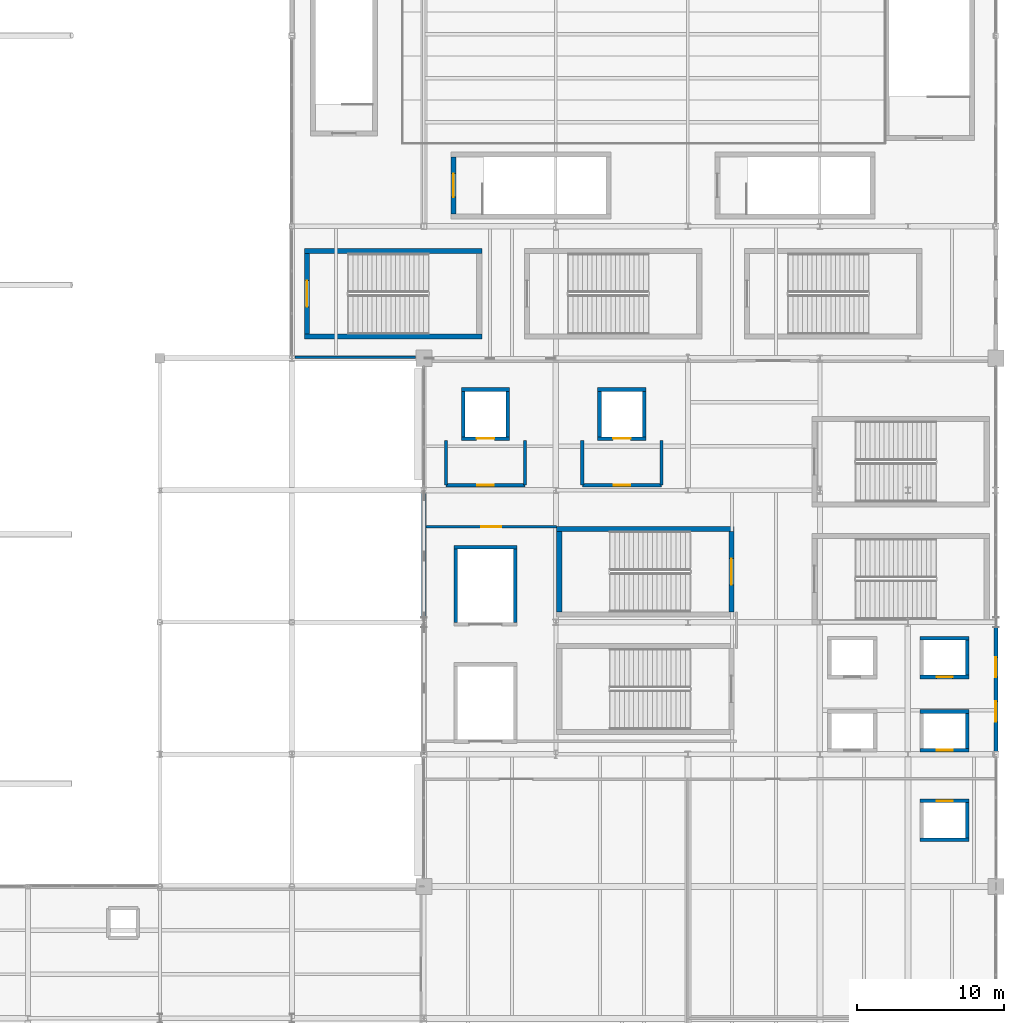
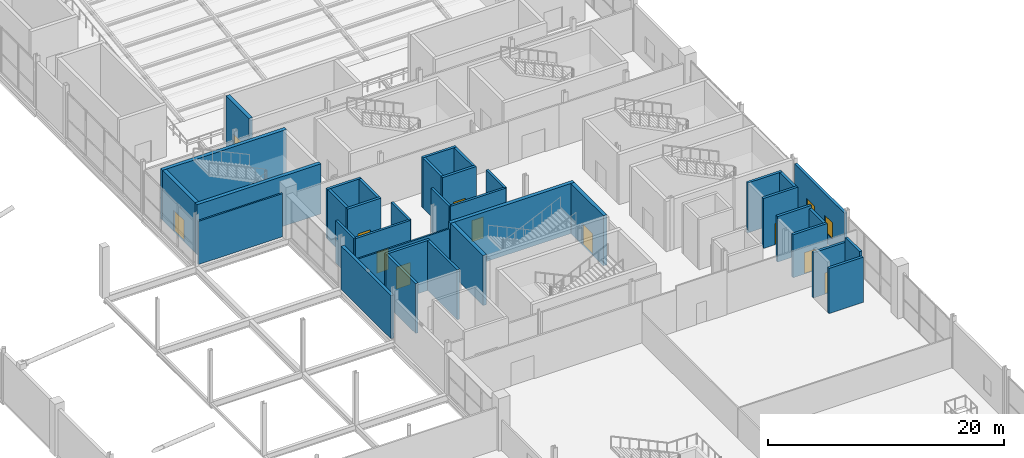
# One storey, part 94 of 119: 37 walls, 11 doors, 2 windows, 13 openings.
"""IFC4 building model written with IfcOpenShell, lengths in metres."""

from ifc_helpers import new_model, si_unit, direction, frame, frame_2d, origin, place, context, subcontext, project, spatial, rectangle, extrude, material, layer, layer_set, type_object, element, fill, save


model = new_model("IFC4")

# Units and contexts
model_context = context("Model", 3, precision=1e-05, world=origin(), true_north=direction((0.0, 1.0)))
body_context = subcontext(model_context, "Body", "Model", "MODEL_VIEW")
ifc_project = project(units=[si_unit("LENGTHUNIT", "METRE"), si_unit("AREAUNIT", "SQUARE_METRE"), si_unit("VOLUMEUNIT", "CUBIC_METRE"), si_unit("PLANEANGLEUNIT", "RADIAN"), si_unit("MASSUNIT", "GRAM", prefix="KILO")], contexts=[model_context])

# Site, building, storey
site_placement = place(None, origin())
site = spatial("IfcSite", under=ifc_project, at=site_placement, CompositionType="ELEMENT")
building_placement = place(site_placement, origin())
building = spatial("IfcBuilding", under=site, at=building_placement, Name="Qamarlyn Nura Convention Centre", CompositionType="ELEMENT")
storey_placement = place(building_placement, frame((0.0, 0.0, 5.39990234375)))
storey = spatial("IfcBuildingStorey", under=building, at=storey_placement, Name="L01", CompositionType="ELEMENT", Elevation=5.39990234375)

# Wall, opening, door
ifc_material_1 = material(Name="Fire-rated acoustic gypsum board and mineral wool EI 120")
ifc_layer_1 = layer(ifc_material_1, 0.219970703125, Name="WT-COMP-220")
ifc_layer_set_1 = layer_set([ifc_layer_1], Name="Fire-rated acoustic gypsum board and mineral wool EI 120")
wall_type_1 = type_object("IfcWallType", Name="WT-COMP-220", PredefinedType="SOLIDWALL", material=ifc_layer_set_1)
wall_1_placement = place(storey_placement, frame((154.5, 72.35009765625, 0.0), z_axis=(0.0, 0.0, 1.0), x_axis=(1.0, 0.0, 0.0)))
wall_1 = element("IfcWall", 1, at=wall_1_placement, inside=storey, type_object=wall_type_1, Name="L01 firefighting lobby barrier wall FFL-03-OPP", PredefinedType="SOLIDWALL", context=body_context, shape_type="SweptSolid", body=[
    extrude(rectangle(XDim=5.39990234375, YDim=0.219970703125, at=frame_2d((2.699951171875, 0.0))), origin(), (0.0, 0.0, 1.0), 4.39208984375),
])
opening_1_placement = place(wall_1_placement, frame((2.139892578125, 0.0, 0.0)))
opening_1 = element("IfcOpeningElement", 2, at=opening_1_placement, cuts=wall_1, Name="Opening DF-119", PredefinedType="OPENING", context=body_context, shape_type="SweptSolid", body=[
    extrude(rectangle(XDim=1.1201171875, YDim=2.199951171875, at=frame_2d((0.56005859375, 1.10009765625))), frame((0.0, 0.1201171875, 0.0), z_axis=(0.0, -1.0, 0.0), x_axis=(1.0, 0.0, 0.0)), (0.0, 0.0, 1.0), 0.239990234375),
])
ifc_material_2 = material(Name="Galvanised fire-rated hollow steel door", Category="steel")
door_type_1 = type_object("IfcDoorType", Name="DR-FFL-1120", OperationType="NOTDEFINED", PredefinedType="DOOR", material=ifc_material_2)
door_1_placement = place(opening_1_placement, origin())
door_1 = element("IfcDoor", 3, at=door_1_placement, inside=storey, type_object=door_type_1, Name="L01 firefighting lobby door FFL-03 (DF-119)", OperationType="SINGLE_SWING_LEFT", OverallHeight=2.199951171875, OverallWidth=1.1201171875, PredefinedType="DOOR", context=body_context, shape_type="SweptSolid", body=[
    extrude(rectangle(XDim=1.1201171875, YDim=2.199951171875, at=frame_2d((0.56005859375, 1.10009765625))), frame((0.0, 0.02490234375, 0.0), z_axis=(0.0, -1.0, 0.0), x_axis=(1.0, 0.0, 0.0)), (0.0, 0.0, 1.0), 0.050048828125),
])
fill(opening_1, door_1)

# Walls
for number, where, z_axis, x_axis, name in (
    (4, (154.5, 72.35009765625, 0.0), (0.0, 0.0, 1.0), (0.0, 1.0, 0.0), "L01 firefighting lobby barrier wall FFL-03-W"),
    (5, (159.89990234375, 72.35009765625, 0.0), (0.0, 0.0, 1.0), (0.0, 1.0, 0.0), "L01 firefighting lobby barrier wall FFL-03-E"),
):
    element("IfcWall", number, at=place(storey_placement, frame(where, z_axis=z_axis, x_axis=x_axis)), inside=storey, type_object=wall_type_1, Name=name, PredefinedType="SOLIDWALL", context=body_context, shape_type="SweptSolid", body=[
        extrude(rectangle(XDim=3.0498046875, YDim=0.219970703125, at=frame_2d((1.52490234375, 0.0))), origin(), (0.0, 0.0, 1.0), 4.39208984375),
    ])

# Wall, opening, door
wall_2_placement = place(storey_placement, frame((163.800048828125, 72.35009765625, 0.0), z_axis=(0.0, 0.0, 1.0), x_axis=(1.0, 0.0, 0.0)))
wall_2 = element("IfcWall", 6, at=wall_2_placement, inside=storey, type_object=wall_type_1, Name="L01 firefighting lobby barrier wall FFL-04-OPP", PredefinedType="SOLIDWALL", context=body_context, shape_type="SweptSolid", body=[
    extrude(rectangle(XDim=5.39990234375, YDim=0.219970703125, at=frame_2d((2.699951171875, 0.0))), origin(), (0.0, 0.0, 1.0), 4.47021484375),
])
opening_2_placement = place(wall_2_placement, frame((2.139892578125, 0.0, 0.0)))
opening_2 = element("IfcOpeningElement", 7, at=opening_2_placement, cuts=wall_2, Name="Opening DF-126", PredefinedType="OPENING", context=body_context, shape_type="SweptSolid", body=[
    extrude(rectangle(XDim=1.1201171875, YDim=2.199951171875, at=frame_2d((0.56005859375, 1.10009765625))), frame((0.0, 0.1201171875, 0.0), z_axis=(0.0, -1.0, 0.0), x_axis=(1.0, 0.0, 0.0)), (0.0, 0.0, 1.0), 0.239990234375),
])
door_2_placement = place(opening_2_placement, origin())
door_2 = element("IfcDoor", 8, at=door_2_placement, inside=storey, type_object=door_type_1, Name="L01 firefighting lobby door FFL-04 (DF-126)", OperationType="SINGLE_SWING_RIGHT", OverallHeight=2.199951171875, OverallWidth=1.1201171875, PredefinedType="DOOR", context=body_context, shape_type="SweptSolid", body=[
    extrude(rectangle(XDim=1.1201171875, YDim=2.199951171875, at=frame_2d((0.56005859375, 1.10009765625))), frame((0.0, 0.02490234375, 0.0), z_axis=(0.0, -1.0, 0.0), x_axis=(1.0, 0.0, 0.0)), (0.0, 0.0, 1.0), 0.050048828125),
])
fill(opening_2, door_2)

# Walls
for number, where, z_axis, x_axis, name in (
    (9, (163.800048828125, 72.35009765625, 0.0), (0.0, 0.0, 1.0), (0.0, 1.0, 0.0), "L01 firefighting lobby barrier wall FFL-04-W"),
    (10, (169.199951171875, 72.35009765625, 0.0), (0.0, 0.0, 1.0), (0.0, 1.0, 0.0), "L01 firefighting lobby barrier wall FFL-04-E"),
):
    element("IfcWall", number, at=place(storey_placement, frame(where, z_axis=z_axis, x_axis=x_axis)), inside=storey, type_object=wall_type_1, Name=name, PredefinedType="SOLIDWALL", context=body_context, shape_type="SweptSolid", body=[
        extrude(rectangle(XDim=3.0498046875, YDim=0.219970703125, at=frame_2d((1.52490234375, 0.0))), origin(), (0.0, 0.0, 1.0), 4.47021484375),
    ])
ifc_material_3 = material(Name="Concrete C50/60", Category="concrete")
ifc_layer_2 = layer(ifc_material_3, 0.35009765625, Name="WT-CORE-350")
ifc_layer_set_2 = layer_set([ifc_layer_2], Name="Concrete C50/60")
wall_type_2 = type_object("IfcWallType", Name="WT-CORE-350", PredefinedType="SHEAR", material=ifc_layer_set_2)
wall_3_placement = place(storey_placement, frame((174.14990234375, 69.375, 0.0), z_axis=(0.0, 0.0, 1.0), x_axis=(-1.0, 0.0, 0.0)))
element("IfcWall", 11, at=wall_3_placement, inside=storey, type_object=wall_type_2, Name="L01 stair core shear wall ST-12-N", PredefinedType="SHEAR", context=body_context, shape_type="SweptSolid", body=[
    extrude(rectangle(XDim=12.099853515625, YDim=0.35009765625, at=frame_2d((6.0498046875, 0.0))), origin(), (0.0, 0.0, 1.0), 5.18017578125),
])
wall_4_placement = place(storey_placement, frame((162.22509765625, 69.199951171875, 0.0), z_axis=(0.0, 0.0, 1.0), x_axis=(0.0, -1.0, 0.0)))
element("IfcWall", 12, at=wall_4_placement, inside=storey, type_object=wall_type_2, Name="L01 stair core shear wall ST-12-W", PredefinedType="SHEAR", context=body_context, shape_type="SweptSolid", body=[
    extrude(rectangle(XDim=5.5, YDim=0.35009765625, at=frame_2d((2.75, 0.0))), origin(), (0.0, 0.0, 1.0), 5.18017578125),
])

# Wall, opening, door
wall_5_placement = place(storey_placement, frame((173.97509765625, 63.699951171875, 0.0), z_axis=(0.0, 0.0, 1.0), x_axis=(0.0, 1.0, 0.0)))
wall_5 = element("IfcWall", 13, at=wall_5_placement, inside=storey, type_object=wall_type_2, Name="L01 stair core shear wall ST-12-E", PredefinedType="SHEAR", context=body_context, shape_type="SweptSolid", body=[
    extrude(rectangle(XDim=5.5, YDim=0.35009765625, at=frame_2d((2.75, 0.0))), origin(), (0.0, 0.0, 1.0), 5.18017578125),
])
opening_3_placement = place(wall_5_placement, frame((1.85009765625, 0.0, 0.0)))
opening_3 = element("IfcOpeningElement", 14, at=opening_3_placement, cuts=wall_5, Name="Opening DS-052", PredefinedType="OPENING", context=body_context, shape_type="SweptSolid", body=[
    extrude(rectangle(XDim=1.800048828125, YDim=2.199951171875, at=frame_2d((0.89990234375, 1.10009765625))), frame((0.0, 0.18505859375, 0.0), z_axis=(0.0, -1.0, 0.0), x_axis=(1.0, 0.0, 0.0)), (0.0, 0.0, 1.0), 0.3701171875),
])
door_type_2 = type_object("IfcDoorType", Name="DR-STAIR-1800", OperationType="DOUBLE_DOOR_SINGLE_SWING", PredefinedType="DOOR", material=ifc_material_2)
door_3_placement = place(opening_3_placement, origin())
door_3 = element("IfcDoor", 15, at=door_3_placement, inside=storey, type_object=door_type_2, Name="L01 exit stair door ST-12 (DS-052)", OperationType="DOUBLE_DOOR_SINGLE_SWING", OverallHeight=2.199951171875, OverallWidth=1.800048828125, PredefinedType="DOOR", context=body_context, shape_type="SweptSolid", body=[
    extrude(rectangle(XDim=1.800048828125, YDim=2.199951171875, at=frame_2d((0.89990234375, 1.10009765625))), frame((0.0, 0.02490234375, 0.0), z_axis=(0.0, -1.0, 0.0), x_axis=(1.0, 0.0, 0.0)), (0.0, 0.0, 1.0), 0.050048828125),
])
fill(opening_3, door_3)

# Walls
for number, where, z_axis, x_axis, name in (
    (16, (144.85009765625, 82.47509765625, 0.0), (0.0, 0.0, 1.0), (1.0, 0.0, 0.0), "L01 stair core shear wall ST-15-S"),
    (17, (156.949951171875, 88.324951171875, 0.0), (0.0, 0.0, 1.0), (-1.0, 0.0, 0.0), "L01 stair core shear wall ST-15-N"),
):
    element("IfcWall", number, at=place(storey_placement, frame(where, z_axis=z_axis, x_axis=x_axis)), inside=storey, type_object=wall_type_2, Name=name, PredefinedType="SHEAR", context=body_context, shape_type="SweptSolid", body=[
        extrude(rectangle(XDim=12.099853515625, YDim=0.35009765625, at=frame_2d((6.0498046875, 0.0))), origin(), (0.0, 0.0, 1.0), 5.18017578125),
    ])

# Wall, opening, door
wall_6_placement = place(storey_placement, frame((145.02490234375, 88.14990234375, 0.0), z_axis=(0.0, 0.0, 1.0), x_axis=(0.0, -1.0, 0.0)))
wall_6 = element("IfcWall", 18, at=wall_6_placement, inside=storey, type_object=wall_type_2, Name="L01 stair core shear wall ST-15-W", PredefinedType="SHEAR", context=body_context, shape_type="SweptSolid", body=[
    extrude(rectangle(XDim=5.5, YDim=0.35009765625, at=frame_2d((2.75, 0.0))), origin(), (0.0, 0.0, 1.0), 5.18017578125),
])
opening_4_placement = place(wall_6_placement, frame((1.85009765625, 0.0, 0.0)))
opening_4 = element("IfcOpeningElement", 19, at=opening_4_placement, cuts=wall_6, Name="Opening DS-073", PredefinedType="OPENING", context=body_context, shape_type="SweptSolid", body=[
    extrude(rectangle(XDim=1.800048828125, YDim=2.199951171875, at=frame_2d((0.89990234375, 1.10009765625))), frame((0.0, 0.18505859375, 0.0), z_axis=(0.0, -1.0, 0.0), x_axis=(1.0, 0.0, 0.0)), (0.0, 0.0, 1.0), 0.3701171875),
])
door_4_placement = place(opening_4_placement, origin())
door_4 = element("IfcDoor", 20, at=door_4_placement, inside=storey, type_object=door_type_2, Name="L01 exit stair door ST-15 (DS-073)", OperationType="DOUBLE_DOOR_SINGLE_SWING", OverallHeight=2.199951171875, OverallWidth=1.800048828125, PredefinedType="DOOR", context=body_context, shape_type="SweptSolid", body=[
    extrude(rectangle(XDim=1.800048828125, YDim=2.199951171875, at=frame_2d((0.89990234375, 1.10009765625))), frame((0.0, 0.02490234375, 0.0), z_axis=(0.0, -1.0, 0.0), x_axis=(1.0, 0.0, 0.0)), (0.0, 0.0, 1.0), 0.050048828125),
])
fill(opening_4, door_4)

wall_7_placement = place(storey_placement, frame((155.02490234375, 94.72998046875, 0.0), z_axis=(0.0, 0.0, 1.0), x_axis=(0.0, -1.0, 0.0)))
wall_7 = element("IfcWall", 21, at=wall_7_placement, inside=storey, type_object=wall_type_2, Name="L01 stair core shear wall ST-VOM3-W", PredefinedType="SHEAR", context=body_context, shape_type="SweptSolid", body=[
    extrude(rectangle(XDim=3.8798828125, YDim=0.35009765625, at=frame_2d((1.93994140625, 0.0))), origin(), (0.0, 0.0, 1.0), 5.400146484375),
])
opening_5_placement = place(wall_7_placement, frame((1.139892578125, 0.0, 0.0)))
opening_5 = element("IfcOpeningElement", 22, at=opening_5_placement, cuts=wall_7, Name="Opening DS-096", PredefinedType="OPENING", context=body_context, shape_type="SweptSolid", body=[
    extrude(rectangle(XDim=1.60009765625, YDim=2.199951171875, at=frame_2d((0.800048828125, 1.10009765625))), frame((0.0, 0.18505859375, 0.0), z_axis=(0.0, -1.0, 0.0), x_axis=(1.0, 0.0, 0.0)), (0.0, 0.0, 1.0), 0.3701171875),
])
door_type_3 = type_object("IfcDoorType", Name="DR-STAIR-1600", OperationType="DOUBLE_DOOR_SINGLE_SWING", PredefinedType="DOOR", material=ifc_material_2)
door_5_placement = place(opening_5_placement, origin())
door_5 = element("IfcDoor", 23, at=door_5_placement, inside=storey, type_object=door_type_3, Name="L01 exit stair door ST-VOM3 (DS-096)", OperationType="DOUBLE_DOOR_SINGLE_SWING", OverallHeight=2.199951171875, OverallWidth=1.60009765625, PredefinedType="DOOR", context=body_context, shape_type="SweptSolid", body=[
    extrude(rectangle(XDim=1.60009765625, YDim=2.199951171875, at=frame_2d((0.800048828125, 1.10009765625))), frame((0.0, 0.02490234375, 0.0), z_axis=(0.0, -1.0, 0.0), x_axis=(1.0, 0.0, 0.0)), (0.0, 0.0, 1.0), 0.050048828125),
])
fill(opening_5, door_5)

# Wall, openings, windows
ifc_material_4 = material(Name="Concrete C40/50", Category="concrete")
ifc_layer_3 = layer(ifc_material_4, 0.260009765625, Name="WT-EXT-260")
ifc_layer_set_3 = layer_set([ifc_layer_3], Name="Concrete C40/50")
wall_type_3 = type_object("IfcWallType", Name="WT-EXT-260", PredefinedType="SOLIDWALL", material=ifc_layer_set_3)
wall_8_placement = place(storey_placement, frame((192.0, 62.652587890625, 0.0), z_axis=(0.0, 0.0, 1.0), x_axis=(0.0, -1.0, 0.0)))
wall_8 = element("IfcWall", 24, at=wall_8_placement, inside=storey, type_object=wall_type_3, Name="L01 exterior facade wall WEXT-L01-1920-627-1920-542", PredefinedType="SOLIDWALL", context=body_context, shape_type="SweptSolid", body=[
    extrude(rectangle(XDim=8.45263671875, YDim=0.260009765625, at=frame_2d((4.226318359375, 0.0))), origin(), (0.0, 0.0, 1.0), 4.864990234375),
])
opening_6_placement = place(wall_8_placement, frame((2.0380859375, 0.0, 0.949951171875)))
opening_6 = element("IfcOpeningElement", 25, at=opening_6_placement, cuts=wall_8, Name="Opening WN24", PredefinedType="OPENING", context=body_context, shape_type="SweptSolid", body=[
    extrude(rectangle(XDim=1.35009765625, YDim=1.60009765625, at=frame_2d((0.675048828125, 0.800048828125))), frame((0.0, 0.14013671875, 0.0), z_axis=(0.0, -1.0, 0.0), x_axis=(1.0, 0.0, 0.0)), (0.0, 0.0, 1.0), 0.280029296875),
])
opening_7_placement = place(wall_8_placement, frame((5.039306640625, 0.0, 0.949951171875)))
opening_7 = element("IfcOpeningElement", 26, at=opening_7_placement, cuts=wall_8, Name="Opening WN01", PredefinedType="OPENING", context=body_context, shape_type="SweptSolid", body=[
    extrude(rectangle(XDim=1.39990234375, YDim=1.699951171875, at=frame_2d((0.699951171875, 0.85009765625))), frame((0.0, 0.14013671875, 0.0), z_axis=(0.0, -1.0, 0.0), x_axis=(1.0, 0.0, 0.0)), (0.0, 0.0, 1.0), 0.280029296875),
])
ifc_material_5 = material(Name="Double-silver low-E insulated glass", Category="glass")
window_type_1 = type_object("IfcWindowType", Name="WIN-SOL-01", PartitioningType="SINGLE_PANEL", PredefinedType="WINDOW", material=ifc_material_5)
window_1_placement = place(opening_7_placement, origin())
window_1 = element("IfcWindow", 27, at=window_1_placement, inside=storey, type_object=window_type_1, Name="L01 solar-control window 025", OverallHeight=1.699951171875, OverallWidth=1.39990234375, PartitioningType="SINGLE_PANEL", PredefinedType="WINDOW", context=body_context, shape_type="SweptSolid", body=[
    extrude(rectangle(XDim=1.39990234375, YDim=1.699951171875, at=frame_2d((0.699951171875, 0.85009765625))), frame((0.0, 0.030029296875, 0.0), z_axis=(0.0, -1.0, 0.0), x_axis=(1.0, 0.0, 0.0)), (0.0, 0.0, 1.0), 0.06005859375),
])
fill(opening_7, window_1)
window_type_2 = type_object("IfcWindowType", Name="WIN-SOL-24", PartitioningType="SINGLE_PANEL", PredefinedType="WINDOW", material=ifc_material_5)
window_2_placement = place(opening_6_placement, origin())
window_2 = element("IfcWindow", 28, at=window_2_placement, inside=storey, type_object=window_type_2, Name="L01 solar-control window 024", OverallHeight=1.60009765625, OverallWidth=1.35009765625, PartitioningType="SINGLE_PANEL", PredefinedType="WINDOW", context=body_context, shape_type="SweptSolid", body=[
    extrude(rectangle(XDim=1.35009765625, YDim=1.60009765625, at=frame_2d((0.675048828125, 0.800048828125))), frame((0.0, 0.030029296875, 0.0), z_axis=(0.0, -1.0, 0.0), x_axis=(1.0, 0.0, 0.0)), (0.0, 0.0, 1.0), 0.06005859375),
])
fill(opening_6, window_2)

# Wall
ifc_material_6 = material(Name="Concrete C40/50 with UAE coastal limestone stone facing", Category="masonry")
ifc_layer_4 = layer(ifc_material_6, 0.300048828125, Name="WT-LIME-300")
ifc_layer_set_4 = layer_set([ifc_layer_4], Name="Concrete C40/50 with UAE coastal limestone stone facing")
wall_type_4 = type_object("IfcWallType", Name="WT-LIME-300", PredefinedType="SOLIDWALL", material=ifc_layer_set_4)
wall_9_placement = place(storey_placement, frame((153.0, 63.347412109375, 0.0), z_axis=(0.0, 0.0, 1.0), x_axis=(0.0, 1.0, 0.0)))
element("IfcWall", 29, at=wall_9_placement, inside=storey, type_object=wall_type_4, Name="L01 exterior facade wall WEXT-L01-1530-633-1530-718", PredefinedType="SOLIDWALL", context=body_context, shape_type="SweptSolid", body=[
    extrude(rectangle(XDim=8.440185546875, YDim=0.300048828125, at=frame_2d((4.22021484375, 0.0))), origin(), (0.0, 0.0, 1.0), 4.47021484375),
])

# Wall, opening, door
ifc_material_7 = material(Name="Fire-rated acoustic gypsum board EI 60")
ifc_layer_5 = layer(ifc_material_7, 0.159912109375, Name="WT-PART-160")
ifc_layer_set_5 = layer_set([ifc_layer_5], Name="Fire-rated acoustic gypsum board EI 60")
wall_type_5 = type_object("IfcWallType", Name="WT-PART-160", PredefinedType="PARTITIONING", material=ifc_layer_set_5)
wall_10_placement = place(storey_placement, frame((153.14990234375, 69.510009765625, 0.0), z_axis=(0.0, 0.0, 1.0), x_axis=(1.0, 0.0, 0.0)))
wall_10 = element("IfcWall", 30, at=wall_10_placement, inside=storey, type_object=wall_type_5, Name="L01 interior partition L01-PAN-FIN1-1-1", PredefinedType="PARTITIONING", context=body_context, shape_type="SweptSolid", body=[
    extrude(rectangle(XDim=8.900146484375, YDim=0.159912109375, at=frame_2d((4.4501953125, 0.0))), origin(), (0.0, 0.0, 1.0), 4.47021484375),
])
opening_8_placement = place(wall_10_placement, frame((3.77001953125, 0.0, 0.0)))
opening_8 = element("IfcOpeningElement", 31, at=opening_8_placement, cuts=wall_10, Name="Opening D-L01-163", PredefinedType="OPENING", context=body_context, shape_type="SweptSolid", body=[
    extrude(rectangle(XDim=1.360107421875, YDim=2.280029296875, at=frame_2d((0.68017578125, 1.14013671875))), frame((0.0, 0.08984375, 0.0), z_axis=(0.0, -1.0, 0.0), x_axis=(1.0, 0.0, 0.0)), (0.0, 0.0, 1.0), 0.179931640625),
])
ifc_material_8 = material(Name="Acoustic walnut timber leaf", Category="wood")
door_type_4 = type_object("IfcDoorType", Name="DR-CONF-1360", OperationType="DOUBLE_DOOR_SINGLE_SWING", PredefinedType="DOOR", material=ifc_material_8)
door_6_placement = place(opening_8_placement, origin())
door_6 = element("IfcDoor", 32, at=door_6_placement, inside=storey, type_object=door_type_4, Name="L01 Finishing Pantry L01 door D-L01-163", OperationType="DOUBLE_DOOR_SINGLE_SWING", OverallHeight=2.280029296875, OverallWidth=1.360107421875, PredefinedType="DOOR", context=body_context, shape_type="SweptSolid", body=[
    extrude(rectangle(XDim=1.360107421875, YDim=2.280029296875, at=frame_2d((0.68017578125, 1.14013671875))), frame((0.0, 0.02490234375, 0.0), z_axis=(0.0, -1.0, 0.0), x_axis=(1.0, 0.0, 0.0)), (0.0, 0.0, 1.0), 0.050048828125),
])
fill(opening_8, door_6)

# Wall
wall_11_placement = place(storey_placement, frame((152.43994140625, 81.080078125, 0.0), z_axis=(0.0, 0.0, 1.0), x_axis=(-1.0, 0.0, 0.0)))
element("IfcWall", 33, at=wall_11_placement, inside=storey, type_object=wall_type_5, Name="L01 interior partition L01-PLN-FOY1-54-1", PredefinedType="PARTITIONING", context=body_context, shape_type="SweptSolid", body=[
    extrude(rectangle(XDim=8.22998046875, YDim=0.159912109375, at=frame_2d((4.114990234375, 0.0))), origin(), (0.0, 0.0, 1.0), 4.47021484375),
])

# Wall, opening, door
ifc_layer_6 = layer(ifc_material_1, 0.25, Name="WT-SHAFT-250")
ifc_layer_set_6 = layer_set([ifc_layer_6], Name="Fire-rated acoustic gypsum board and mineral wool EI 120")
wall_type_6 = type_object("IfcWallType", Name="WT-SHAFT-250", PredefinedType="SOLIDWALL", material=ifc_layer_set_6)
wall_12_placement = place(storey_placement, frame((155.550048828125, 75.52490234375, 0.0), z_axis=(0.0, 0.0, 1.0), x_axis=(1.0, 0.0, 0.0)))
wall_12 = element("IfcWall", 34, at=wall_12_placement, inside=storey, type_object=wall_type_6, Name="L01 lift shaft enclosure wall FFL-03 -y", PredefinedType="SOLIDWALL", context=body_context, shape_type="SweptSolid", body=[
    extrude(rectangle(XDim=3.300048828125, YDim=0.25, at=frame_2d((1.64990234375, 0.0))), origin(), (0.0, 0.0, 1.0), 5.16015625),
])
opening_9_placement = place(wall_12_placement, frame((1.050048828125, 0.0, 0.0)))
opening_9 = element("IfcOpeningElement", 35, at=opening_9_placement, cuts=wall_12, Name="Opening LD-FFL-03-L01", PredefinedType="OPENING", context=body_context, shape_type="SweptSolid", body=[
    extrude(rectangle(XDim=1.199951171875, YDim=2.25, at=frame_2d((0.60009765625, 1.125))), frame((0.0, 0.135009765625, 0.0), z_axis=(0.0, -1.0, 0.0), x_axis=(1.0, 0.0, 0.0)), (0.0, 0.0, 1.0), 0.27001953125),
])
ifc_material_9 = material(Name="Marine Grade 316 stainless steel", Category="steel")
door_type_5 = type_object("IfcDoorType", Name="DR-LD-FFL", OperationType="DOUBLE_DOOR_SLIDING", PredefinedType="DOOR", material=ifc_material_9)
door_7_placement = place(opening_9_placement, origin())
door_7 = element("IfcDoor", 36, at=door_7_placement, inside=storey, type_object=door_type_5, Name="Lift landing door LD-FFL-03-L01", OperationType="DOUBLE_DOOR_SLIDING", OverallHeight=2.25, OverallWidth=1.199951171875, PredefinedType="DOOR", context=body_context, shape_type="SweptSolid", body=[
    extrude(rectangle(XDim=1.199951171875, YDim=2.25, at=frame_2d((0.60009765625, 1.125))), frame((0.0, 0.02490234375, 0.0), z_axis=(0.0, -1.0, 0.0), x_axis=(1.0, 0.0, 0.0)), (0.0, 0.0, 1.0), 0.050048828125),
])
fill(opening_9, door_7)

# Walls
wall_13_placement = place(storey_placement, frame((158.85009765625, 78.875, 0.0), z_axis=(0.0, 0.0, 1.0), x_axis=(-1.0, 0.0, 0.0)))
element("IfcWall", 37, at=wall_13_placement, inside=storey, type_object=wall_type_6, Name="L01 lift shaft enclosure wall FFL-03 +y", PredefinedType="SOLIDWALL", context=body_context, shape_type="SweptSolid", body=[
    extrude(rectangle(XDim=3.300048828125, YDim=0.25, at=frame_2d((1.64990234375, 0.0))), origin(), (0.0, 0.0, 1.0), 5.16015625),
])
for number, where, z_axis, x_axis, name in (
    (38, (155.675048828125, 78.75, 0.0), (0.0, 0.0, 1.0), (0.0, -1.0, 0.0), "L01 lift shaft enclosure wall FFL-03 -x"),
    (39, (158.72509765625, 75.64990234375, 0.0), (0.0, 0.0, 1.0), (0.0, 1.0, 0.0), "L01 lift shaft enclosure wall FFL-03 +x"),
):
    element("IfcWall", number, at=place(storey_placement, frame(where, z_axis=z_axis, x_axis=x_axis)), inside=storey, type_object=wall_type_6, Name=name, PredefinedType="SOLIDWALL", context=body_context, shape_type="SweptSolid", body=[
        extrude(rectangle(XDim=3.10009765625, YDim=0.25, at=frame_2d((1.550048828125, 0.0))), origin(), (0.0, 0.0, 1.0), 5.16015625),
    ])

# Wall, opening, door
wall_14_placement = place(storey_placement, frame((164.85009765625, 75.52490234375, 0.0), z_axis=(0.0, 0.0, 1.0), x_axis=(1.0, 0.0, 0.0)))
wall_14 = element("IfcWall", 40, at=wall_14_placement, inside=storey, type_object=wall_type_6, Name="L01 lift shaft enclosure wall FFL-04 -y", PredefinedType="SOLIDWALL", context=body_context, shape_type="SweptSolid", body=[
    extrude(rectangle(XDim=3.2998046875, YDim=0.25, at=frame_2d((1.64990234375, 0.0))), origin(), (0.0, 0.0, 1.0), 5.16015625),
])
opening_10_placement = place(wall_14_placement, frame((1.050048828125, 0.0, 0.0)))
opening_10 = element("IfcOpeningElement", 41, at=opening_10_placement, cuts=wall_14, Name="Opening LD-FFL-04-L01", PredefinedType="OPENING", context=body_context, shape_type="SweptSolid", body=[
    extrude(rectangle(XDim=1.199951171875, YDim=2.25, at=frame_2d((0.60009765625, 1.125))), frame((0.0, 0.135009765625, 0.0), z_axis=(0.0, -1.0, 0.0), x_axis=(1.0, 0.0, 0.0)), (0.0, 0.0, 1.0), 0.27001953125),
])
door_8_placement = place(opening_10_placement, origin())
door_8 = element("IfcDoor", 42, at=door_8_placement, inside=storey, type_object=door_type_5, Name="Lift landing door LD-FFL-04-L01", OperationType="DOUBLE_DOOR_SLIDING", OverallHeight=2.25, OverallWidth=1.199951171875, PredefinedType="DOOR", context=body_context, shape_type="SweptSolid", body=[
    extrude(rectangle(XDim=1.199951171875, YDim=2.25, at=frame_2d((0.60009765625, 1.125))), frame((0.0, 0.02490234375, 0.0), z_axis=(0.0, -1.0, 0.0), x_axis=(1.0, 0.0, 0.0)), (0.0, 0.0, 1.0), 0.050048828125),
])
fill(opening_10, door_8)

# Walls
wall_15_placement = place(storey_placement, frame((168.14990234375, 78.875, 0.0), z_axis=(0.0, 0.0, 1.0), x_axis=(-1.0, 0.0, 0.0)))
element("IfcWall", 43, at=wall_15_placement, inside=storey, type_object=wall_type_6, Name="L01 lift shaft enclosure wall FFL-04 +y", PredefinedType="SOLIDWALL", context=body_context, shape_type="SweptSolid", body=[
    extrude(rectangle(XDim=3.2998046875, YDim=0.25, at=frame_2d((1.64990234375, 0.0))), origin(), (0.0, 0.0, 1.0), 5.16015625),
])
for number, where, z_axis, x_axis, name in (
    (44, (164.97509765625, 78.75, 0.0), (0.0, 0.0, 1.0), (0.0, -1.0, 0.0), "L01 lift shaft enclosure wall FFL-04 -x"),
    (45, (168.02490234375, 75.64990234375, 0.0), (0.0, 0.0, 1.0), (0.0, 1.0, 0.0), "L01 lift shaft enclosure wall FFL-04 +x"),
):
    element("IfcWall", number, at=place(storey_placement, frame(where, z_axis=z_axis, x_axis=x_axis)), inside=storey, type_object=wall_type_6, Name=name, PredefinedType="SOLIDWALL", context=body_context, shape_type="SweptSolid", body=[
        extrude(rectangle(XDim=3.10009765625, YDim=0.25, at=frame_2d((1.550048828125, 0.0))), origin(), (0.0, 0.0, 1.0), 5.16015625),
    ])

# Wall, opening, door
wall_16_placement = place(storey_placement, frame((186.824951171875, 59.27490234375, 0.0), z_axis=(0.0, 0.0, 1.0), x_axis=(1.0, 0.0, 0.0)))
wall_16 = element("IfcWall", 46, at=wall_16_placement, inside=storey, type_object=wall_type_6, Name="L01 lift shaft enclosure wall PL-02 -y", PredefinedType="SOLIDWALL", context=body_context, shape_type="SweptSolid", body=[
    extrude(rectangle(XDim=3.35009765625, YDim=0.25, at=frame_2d((1.675048828125, 0.0))), origin(), (0.0, 0.0, 1.0), 5.16015625),
])
opening_11_placement = place(wall_16_placement, frame((1.125, 0.0, 0.0)))
opening_11 = element("IfcOpeningElement", 47, at=opening_11_placement, cuts=wall_16, Name="Opening LD-PL-02-L01", PredefinedType="OPENING", context=body_context, shape_type="SweptSolid", body=[
    extrude(rectangle(XDim=1.10009765625, YDim=2.199951171875, at=frame_2d((0.550048828125, 1.10009765625))), frame((0.0, 0.135009765625, 0.0), z_axis=(0.0, -1.0, 0.0), x_axis=(1.0, 0.0, 0.0)), (0.0, 0.0, 1.0), 0.27001953125),
])
door_type_6 = type_object("IfcDoorType", Name="DR-LD-PAX", OperationType="DOUBLE_DOOR_SLIDING", PredefinedType="DOOR", material=ifc_material_9)
door_9_placement = place(opening_11_placement, origin())
door_9 = element("IfcDoor", 48, at=door_9_placement, inside=storey, type_object=door_type_6, Name="Lift landing door LD-PL-02-L01", OperationType="DOUBLE_DOOR_SLIDING", OverallHeight=2.199951171875, OverallWidth=1.10009765625, PredefinedType="DOOR", context=body_context, shape_type="SweptSolid", body=[
    extrude(rectangle(XDim=1.10009765625, YDim=2.199951171875, at=frame_2d((0.550048828125, 1.10009765625))), frame((0.0, 0.02490234375, 0.0), z_axis=(0.0, -1.0, 0.0), x_axis=(1.0, 0.0, 0.0)), (0.0, 0.0, 1.0), 0.050048828125),
])
fill(opening_11, door_9)

# Walls
wall_17_placement = place(storey_placement, frame((190.175048828125, 61.925048828125, 0.0), z_axis=(0.0, 0.0, 1.0), x_axis=(-1.0, 0.0, 0.0)))
element("IfcWall", 49, at=wall_17_placement, inside=storey, type_object=wall_type_6, Name="L01 lift shaft enclosure wall PL-02 +y", PredefinedType="SOLIDWALL", context=body_context, shape_type="SweptSolid", body=[
    extrude(rectangle(XDim=3.35009765625, YDim=0.25, at=frame_2d((1.675048828125, 0.0))), origin(), (0.0, 0.0, 1.0), 5.16015625),
])
wall_18_placement = place(storey_placement, frame((190.050048828125, 59.39990234375, 0.0), z_axis=(0.0, 0.0, 1.0), x_axis=(0.0, 1.0, 0.0)))
element("IfcWall", 50, at=wall_18_placement, inside=storey, type_object=wall_type_6, Name="L01 lift shaft enclosure wall PL-02 +x", PredefinedType="SOLIDWALL", context=body_context, shape_type="SweptSolid", body=[
    extrude(rectangle(XDim=2.400146484375, YDim=0.25, at=frame_2d((1.2001953125, 0.0))), origin(), (0.0, 0.0, 1.0), 5.16015625),
])

# Wall, opening, door
wall_19_placement = place(storey_placement, frame((186.824951171875, 54.27490234375, 0.0), z_axis=(0.0, 0.0, 1.0), x_axis=(1.0, 0.0, 0.0)))
wall_19 = element("IfcWall", 51, at=wall_19_placement, inside=storey, type_object=wall_type_6, Name="L01 lift shaft enclosure wall PL-04 -y", PredefinedType="SOLIDWALL", context=body_context, shape_type="SweptSolid", body=[
    extrude(rectangle(XDim=3.35009765625, YDim=0.25, at=frame_2d((1.675048828125, 0.0))), origin(), (0.0, 0.0, 1.0), 4.441162109375),
])
opening_12_placement = place(wall_19_placement, frame((1.125, 0.0, 0.0)))
opening_12 = element("IfcOpeningElement", 52, at=opening_12_placement, cuts=wall_19, Name="Opening LD-PL-04-L01", PredefinedType="OPENING", context=body_context, shape_type="SweptSolid", body=[
    extrude(rectangle(XDim=1.10009765625, YDim=2.199951171875, at=frame_2d((0.550048828125, 1.10009765625))), frame((0.0, 0.135009765625, 0.0), z_axis=(0.0, -1.0, 0.0), x_axis=(1.0, 0.0, 0.0)), (0.0, 0.0, 1.0), 0.27001953125),
])
door_10_placement = place(opening_12_placement, origin())
door_10 = element("IfcDoor", 53, at=door_10_placement, inside=storey, type_object=door_type_6, Name="Lift landing door LD-PL-04-L01", OperationType="DOUBLE_DOOR_SLIDING", OverallHeight=2.199951171875, OverallWidth=1.10009765625, PredefinedType="DOOR", context=body_context, shape_type="SweptSolid", body=[
    extrude(rectangle(XDim=1.10009765625, YDim=2.199951171875, at=frame_2d((0.550048828125, 1.10009765625))), frame((0.0, 0.02490234375, 0.0), z_axis=(0.0, -1.0, 0.0), x_axis=(1.0, 0.0, 0.0)), (0.0, 0.0, 1.0), 0.050048828125),
])
fill(opening_12, door_10)

# Walls
wall_20_placement = place(storey_placement, frame((190.175048828125, 56.925048828125, 0.0), z_axis=(0.0, 0.0, 1.0), x_axis=(-1.0, 0.0, 0.0)))
element("IfcWall", 54, at=wall_20_placement, inside=storey, type_object=wall_type_6, Name="L01 lift shaft enclosure wall PL-04 +y", PredefinedType="SOLIDWALL", context=body_context, shape_type="SweptSolid", body=[
    extrude(rectangle(XDim=3.35009765625, YDim=0.25, at=frame_2d((1.675048828125, 0.0))), origin(), (0.0, 0.0, 1.0), 4.7080078125),
])
wall_21_placement = place(storey_placement, frame((190.050048828125, 54.39990234375, 0.0), z_axis=(0.0, 0.0, 1.0), x_axis=(0.0, 1.0, 0.0)))
element("IfcWall", 55, at=wall_21_placement, inside=storey, type_object=wall_type_6, Name="L01 lift shaft enclosure wall PL-04 +x", PredefinedType="SOLIDWALL", context=body_context, shape_type="SweptSolid", body=[
    extrude(rectangle(XDim=2.400146484375, YDim=0.25, at=frame_2d((1.2001953125, 0.0))), origin(), (0.0, 0.0, 1.0), 4.441162109375),
])
wall_22_placement = place(storey_placement, frame((186.824951171875, 48.175048828125, 0.0), z_axis=(0.0, 0.0, 1.0), x_axis=(1.0, 0.0, 0.0)))
element("IfcWall", 56, at=wall_22_placement, inside=storey, type_object=wall_type_6, Name="L01 lift shaft enclosure wall PL-05 -y", PredefinedType="SOLIDWALL", context=body_context, shape_type="SweptSolid", body=[
    extrude(rectangle(XDim=3.35009765625, YDim=0.25, at=frame_2d((1.675048828125, 0.0))), origin(), (0.0, 0.0, 1.0), 4.668212890625),
])

# Wall, opening, door
wall_23_placement = place(storey_placement, frame((190.175048828125, 50.824951171875, 0.0), z_axis=(0.0, 0.0, 1.0), x_axis=(-1.0, 0.0, 0.0)))
wall_23 = element("IfcWall", 57, at=wall_23_placement, inside=storey, type_object=wall_type_6, Name="L01 lift shaft enclosure wall PL-05 +y", PredefinedType="SOLIDWALL", context=body_context, shape_type="SweptSolid", body=[
    extrude(rectangle(XDim=3.35009765625, YDim=0.25, at=frame_2d((1.675048828125, 0.0))), origin(), (0.0, 0.0, 1.0), 4.668212890625),
])
opening_13_placement = place(wall_23_placement, frame((1.125, 0.0, 0.0)))
opening_13 = element("IfcOpeningElement", 58, at=opening_13_placement, cuts=wall_23, Name="Opening LD-PL-05-L01", PredefinedType="OPENING", context=body_context, shape_type="SweptSolid", body=[
    extrude(rectangle(XDim=1.10009765625, YDim=2.199951171875, at=frame_2d((0.550048828125, 1.10009765625))), frame((0.0, 0.135009765625, 0.0), z_axis=(0.0, -1.0, 0.0), x_axis=(1.0, 0.0, 0.0)), (0.0, 0.0, 1.0), 0.27001953125),
])
door_11_placement = place(opening_13_placement, origin())
door_11 = element("IfcDoor", 59, at=door_11_placement, inside=storey, type_object=door_type_6, Name="Lift landing door LD-PL-05-L01", OperationType="DOUBLE_DOOR_SLIDING", OverallHeight=2.199951171875, OverallWidth=1.10009765625, PredefinedType="DOOR", context=body_context, shape_type="SweptSolid", body=[
    extrude(rectangle(XDim=1.10009765625, YDim=2.199951171875, at=frame_2d((0.550048828125, 1.10009765625))), frame((0.0, 0.02490234375, 0.0), z_axis=(0.0, -1.0, 0.0), x_axis=(1.0, 0.0, 0.0)), (0.0, 0.0, 1.0), 0.050048828125),
])
fill(opening_13, door_11)

# Walls
wall_24_placement = place(storey_placement, frame((190.050048828125, 48.300048828125, 0.0), z_axis=(0.0, 0.0, 1.0), x_axis=(0.0, 1.0, 0.0)))
element("IfcWall", 60, at=wall_24_placement, inside=storey, type_object=wall_type_6, Name="L01 lift shaft enclosure wall PL-05 +x", PredefinedType="SOLIDWALL", context=body_context, shape_type="SweptSolid", body=[
    extrude(rectangle(XDim=2.39990234375, YDim=0.25, at=frame_2d((1.199951171875, 0.0))), origin(), (0.0, 0.0, 1.0), 5.16015625),
])
wall_25_placement = place(storey_placement, frame((159.35009765625, 68.125, 0.0), z_axis=(0.0, 0.0, 1.0), x_axis=(-1.0, 0.0, 0.0)))
element("IfcWall", 61, at=wall_25_placement, inside=storey, type_object=wall_type_6, Name="L01 lift shaft enclosure wall FL-04 +y", PredefinedType="SOLIDWALL", context=body_context, shape_type="SweptSolid", body=[
    extrude(rectangle(XDim=4.300048828125, YDim=0.25, at=frame_2d((2.14990234375, 0.0))), origin(), (0.0, 0.0, 1.0), 5.16015625),
])
for number, where, z_axis, x_axis, name in (
    (62, (155.175048828125, 68.0, 0.0), (0.0, 0.0, 1.0), (0.0, -1.0, 0.0), "L01 lift shaft enclosure wall FL-04 -x"),
    (63, (159.22509765625, 63.0, 0.0), (0.0, 0.0, 1.0), (0.0, 1.0, 0.0), "L01 lift shaft enclosure wall FL-04 +x"),
):
    element("IfcWall", number, at=place(storey_placement, frame(where, z_axis=z_axis, x_axis=x_axis)), inside=storey, type_object=wall_type_6, Name=name, PredefinedType="SOLIDWALL", context=body_context, shape_type="SweptSolid", body=[
        extrude(rectangle(XDim=5.0, YDim=0.25, at=frame_2d((2.5, 0.0))), origin(), (0.0, 0.0, 1.0), 5.16015625),
    ])

save(model, "model.ifc")
